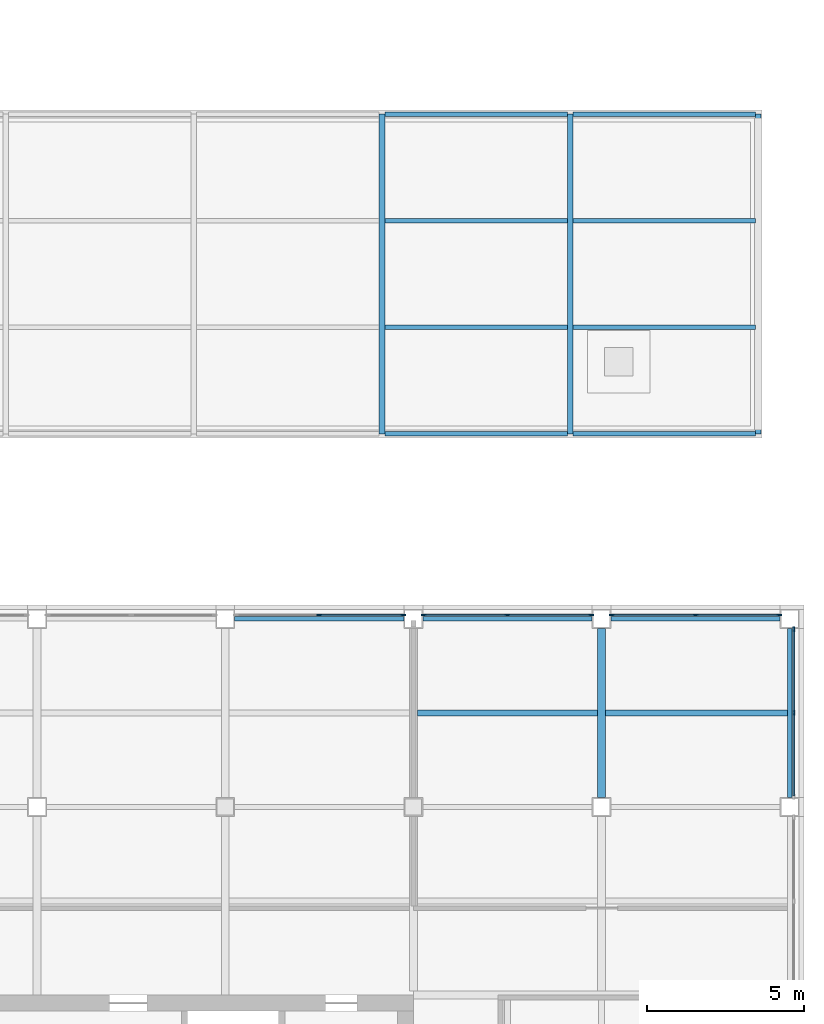
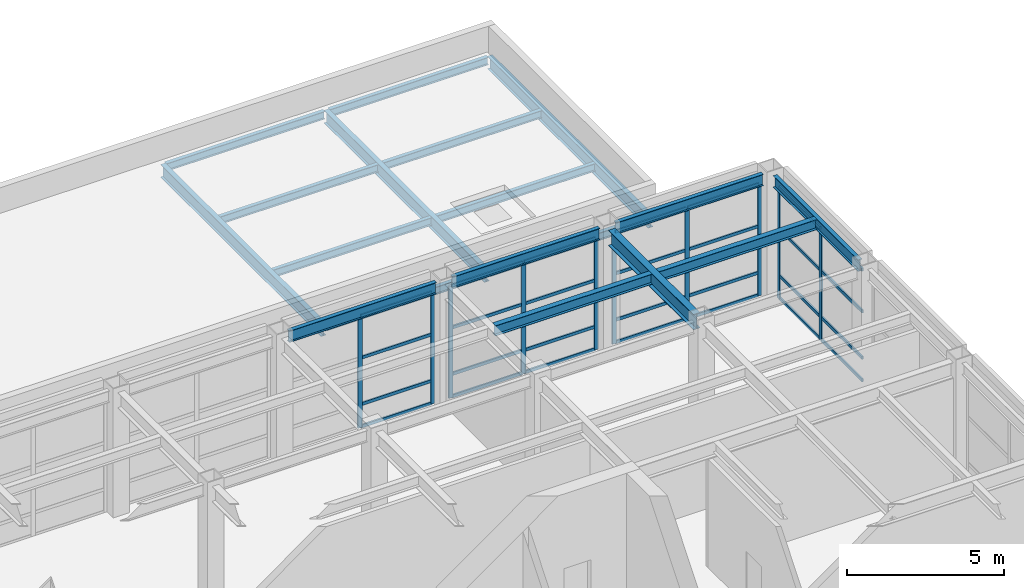
# One storey, part 26 of 67: 38 members, 18 beams, 4 elements without a shape of their own.
"""IFC4 building model written with IfcOpenShell, lengths in metres."""

from ifc_helpers import new_model, si_unit, direction, frame, origin, origin_2d, place, context, subcontext, project, spatial, rectangle, i_section, extrude, material, material_profile, profile_set, type_object, element, aggregate, save


model = new_model("IFC4")

# Units and contexts
model_context = context("Model", 3, precision=1e-05, world=origin(), true_north=direction((0.0, 1.0)))
body_context = subcontext(model_context, "Body", "Model", "MODEL_VIEW")
ifc_project = project(units=[si_unit("LENGTHUNIT", "METRE"), si_unit("AREAUNIT", "SQUARE_METRE"), si_unit("VOLUMEUNIT", "CUBIC_METRE"), si_unit("PLANEANGLEUNIT", "RADIAN"), si_unit("MASSUNIT", "GRAM", prefix="KILO")], contexts=[model_context])

# Site, building, storey
site_placement = place(None, origin())
site = spatial("IfcSite", under=ifc_project, at=site_placement, CompositionType="ELEMENT")
building_placement = place(site_placement, origin())
building = spatial("IfcBuilding", under=site, at=building_placement, Name="Aravalli Gate Trade Fair Centre", CompositionType="ELEMENT")
storey_placement = place(building_placement, frame((0.0, 0.0, 5.0)))
storey = spatial("IfcBuildingStorey", under=building, at=storey_placement, Name="L01", CompositionType="ELEMENT", Elevation=5.0)

# Beams
ifc_material_1 = material(Name="Steel E350", Category="steel")
ifc_material_profile_1 = material_profile(ifc_material_1, i_section(OverallWidth=0.179931640625, OverallDepth=0.5, WebThickness=0.01025390625, FlangeThickness=0.01708984375, at=origin_2d()), Name="ISMB 500")
ifc_profile_set_1 = profile_set([ifc_material_profile_1], Name="Steel E350")
beam_type_1 = type_object("IfcBeamType", Name="Pavilion roof girder ISMB 500", PredefinedType="BEAM", material=ifc_profile_set_1)
for number, where, z_axis, x_axis, name in (
    (1, (189.0, 138.89990234375, -0.39990234375), (0.0, 1.0, 0.0), (-1.0, 0.0, 0.0), "Pavilion roof girder 5"),
    (2, (195.0, 138.89990234375, -0.39990234375), (0.0, 1.0, 0.0), (-1.0, 0.0, 0.0), "Pavilion roof girder 6"),
    (3, (201.0, 138.89990234375, -0.39990234375), (0.0, 1.0, 0.0), (-1.0, 0.0, 0.0), "Pavilion roof girder 7"),
):
    element("IfcBeam", number, at=place(storey_placement, frame(where, z_axis=z_axis, x_axis=x_axis)), inside=storey, type_object=beam_type_1, Name=name, PredefinedType="BEAM", context=body_context, shape_type="SweptSolid", body=[
        extrude(i_section(OverallWidth=0.179931640625, OverallDepth=0.5, WebThickness=0.01025390625, FlangeThickness=0.01708984375, at=origin_2d()), origin(), (0.0, 0.0, 1.0), 10.2001953125),
    ])
ifc_material_profile_2 = material_profile(ifc_material_1, i_section(OverallWidth=0.139892578125, OverallDepth=0.300048828125, WebThickness=0.0078125, FlangeThickness=0.01318359375, at=origin_2d()), Name="ISMB 300")
ifc_profile_set_2 = profile_set([ifc_material_profile_2], Name="Steel E350")
beam_type_2 = type_object("IfcBeamType", Name="Pavilion roof joist ISMB 300", PredefinedType="BEAM", material=ifc_profile_set_2)
for number, where, z_axis, x_axis, name in (
    (4, (189.090087890625, 138.89990234375, -0.300048828125), (1.0, 0.0, 0.0), (0.0, 1.0, 0.0), "Pavilion roof joist 1.5"),
    (5, (195.090087890625, 138.89990234375, -0.300048828125), (1.0, 0.0, 0.0), (0.0, 1.0, 0.0), "Pavilion roof joist 1.6"),
    (6, (189.090087890625, 142.300048828125, -0.300048828125), (1.0, 0.0, 0.0), (0.0, 1.0, 0.0), "Pavilion roof joist 2.5"),
    (7, (195.090087890625, 142.300048828125, -0.300048828125), (1.0, 0.0, 0.0), (0.0, 1.0, 0.0), "Pavilion roof joist 2.6"),
    (8, (189.090087890625, 145.699951171875, -0.300048828125), (1.0, 0.0, 0.0), (0.0, 1.0, 0.0), "Pavilion roof joist 3.5"),
    (9, (195.090087890625, 145.699951171875, -0.300048828125), (1.0, 0.0, 0.0), (0.0, 1.0, 0.0), "Pavilion roof joist 3.6"),
    (10, (189.090087890625, 149.10009765625, -0.300048828125), (1.0, 0.0, 0.0), (0.0, 1.0, 0.0), "Pavilion roof joist 4.5"),
    (11, (195.090087890625, 149.10009765625, -0.300048828125), (1.0, 0.0, 0.0), (0.0, 1.0, 0.0), "Pavilion roof joist 4.6"),
):
    element("IfcBeam", number, at=place(storey_placement, frame(where, z_axis=z_axis, x_axis=x_axis)), inside=storey, type_object=beam_type_2, Name=name, PredefinedType="BEAM", context=body_context, shape_type="SweptSolid", body=[
        extrude(i_section(OverallWidth=0.139892578125, OverallDepth=0.300048828125, WebThickness=0.0078125, FlangeThickness=0.01318359375, at=origin_2d()), origin(), (0.0, 0.0, 1.0), 5.81982421875),
    ])
ifc_material_profile_3 = material_profile(ifc_material_1, i_section(OverallWidth=0.25, OverallDepth=0.60009765625, WebThickness=0.01123046875, FlangeThickness=0.021240234375, at=origin_2d()), Name="ISWB 600")
ifc_profile_set_3 = profile_set([ifc_material_profile_3], Name="Steel E350")
beam_type_3 = type_object("IfcBeamType", Name="Wing corner transfer girder ISWB 600 (podium floors)", PredefinedType="BEAM", material=ifc_profile_set_3)
beam_1_placement = place(storey_placement, frame((196.0, 127.300048828125, 4.5), z_axis=(0.0, 1.0, 0.0), x_axis=(-1.0, 0.0, 0.0)))
element("IfcBeam", 12, at=beam_1_placement, inside=storey, type_object=beam_type_3, Name="Corner transfer girder CNEyb L02", PredefinedType="BEAM", context=body_context, shape_type="SweptSolid", body=[
    extrude(i_section(OverallWidth=0.25, OverallDepth=0.60009765625, WebThickness=0.01123046875, FlangeThickness=0.021240234375, at=origin_2d()), origin(), (0.0, 0.0, 1.0), 5.39990234375),
])

# Curtain wall, members
ifc_material_2 = material(Name="Aluminium and glass", Category="aluminium")
curtain_wall_type = type_object("IfcCurtainWallType", Name="Wing curtain wall", PredefinedType="NOTDEFINED", material=ifc_material_2)
curtain_wall_1_placement = place(storey_placement, origin())
curtain_wall_1 = element("IfcCurtainWall", 13, at=curtain_wall_1_placement, inside=storey, type_object=curtain_wall_type, Name="Curtain wall N4 L01", PredefinedType="NOTDEFINED")
ifc_material_3 = material(Name="Aluminium", Category="aluminium")
ifc_material_profile_4 = material_profile(ifc_material_3, rectangle(XDim=0.06005859375, YDim=0.159912109375, at=origin_2d()), Name="Wing curtain wall mullion 60 x 160")
ifc_profile_set_4 = profile_set([ifc_material_profile_4], Name="Aluminium")
member_type_1 = type_object("IfcMemberType", Name="Wing curtain wall mullion 60 x 160", PredefinedType="MULLION", material=ifc_profile_set_4)
member_1_placement = place(storey_placement, frame((187.0, 133.125, 0.0), z_axis=(0.0, 0.0, 1.0), x_axis=(0.0, 1.0, 0.0)))
member_1 = element("IfcMember", 14, at=member_1_placement, type_object=member_type_1, Name="TCW1 mullion 2", PredefinedType="MULLION", context=body_context, shape_type="SweptSolid", body=[
    extrude(rectangle(XDim=0.06005859375, YDim=0.159912109375, at=origin_2d()), origin(), (0.0, 0.0, 1.0), 4.35009765625),
])
member_2_placement = place(storey_placement, frame((189.669921875, 133.125, 0.0), z_axis=(0.0, 0.0, 1.0), x_axis=(0.0, 1.0, 0.0)))
member_2 = element("IfcMember", 15, at=member_2_placement, type_object=member_type_1, Name="TCW1 mullion 3", PredefinedType="MULLION", context=body_context, shape_type="SweptSolid", body=[
    extrude(rectangle(XDim=0.06005859375, YDim=0.159912109375, at=origin_2d()), origin(), (0.0, 0.0, 1.0), 4.35009765625),
])

curtain_wall_2_placement = place(storey_placement, origin())
curtain_wall_2 = element("IfcCurtainWall", 16, at=curtain_wall_2_placement, inside=storey, type_object=curtain_wall_type, Name="Curtain wall N5 L01", PredefinedType="NOTDEFINED")
member_3_placement = place(storey_placement, frame((190.330078125, 133.125, 0.0), z_axis=(0.0, 0.0, 1.0), x_axis=(0.0, 1.0, 0.0)))
member_3 = element("IfcMember", 17, at=member_3_placement, type_object=member_type_1, Name="TCW1 mullion 1", PredefinedType="MULLION", context=body_context, shape_type="SweptSolid", body=[
    extrude(rectangle(XDim=0.06005859375, YDim=0.159912109375, at=origin_2d()), origin(), (0.0, 0.0, 1.0), 4.35009765625),
])
member_4_placement = place(storey_placement, frame((193.0, 133.125, 0.0), z_axis=(0.0, 0.0, 1.0), x_axis=(0.0, 1.0, 0.0)))
member_4 = element("IfcMember", 18, at=member_4_placement, type_object=member_type_1, Name="TCW1 mullion 2", PredefinedType="MULLION", context=body_context, shape_type="SweptSolid", body=[
    extrude(rectangle(XDim=0.06005859375, YDim=0.159912109375, at=origin_2d()), origin(), (0.0, 0.0, 1.0), 4.35009765625),
])
member_5_placement = place(storey_placement, frame((195.669921875, 133.125, 0.0), z_axis=(0.0, 0.0, 1.0), x_axis=(0.0, 1.0, 0.0)))
member_5 = element("IfcMember", 19, at=member_5_placement, type_object=member_type_1, Name="TCW1 mullion 3", PredefinedType="MULLION", context=body_context, shape_type="SweptSolid", body=[
    extrude(rectangle(XDim=0.06005859375, YDim=0.159912109375, at=origin_2d()), origin(), (0.0, 0.0, 1.0), 4.35009765625),
])

curtain_wall_3_placement = place(storey_placement, origin())
curtain_wall_3 = element("IfcCurtainWall", 20, at=curtain_wall_3_placement, inside=storey, type_object=curtain_wall_type, Name="Curtain wall N6 L01", PredefinedType="NOTDEFINED")
member_6_placement = place(storey_placement, frame((196.330078125, 133.125, 0.0), z_axis=(0.0, 0.0, 1.0), x_axis=(0.0, 1.0, 0.0)))
member_6 = element("IfcMember", 21, at=member_6_placement, type_object=member_type_1, Name="TCW1 mullion 1", PredefinedType="MULLION", context=body_context, shape_type="SweptSolid", body=[
    extrude(rectangle(XDim=0.06005859375, YDim=0.159912109375, at=origin_2d()), origin(), (0.0, 0.0, 1.0), 4.35009765625),
])
member_7_placement = place(storey_placement, frame((199.0, 133.125, 0.0), z_axis=(0.0, 0.0, 1.0), x_axis=(0.0, 1.0, 0.0)))
member_7 = element("IfcMember", 22, at=member_7_placement, type_object=member_type_1, Name="TCW1 mullion 2", PredefinedType="MULLION", context=body_context, shape_type="SweptSolid", body=[
    extrude(rectangle(XDim=0.06005859375, YDim=0.159912109375, at=origin_2d()), origin(), (0.0, 0.0, 1.0), 4.35009765625),
])
member_8_placement = place(storey_placement, frame((201.669921875, 133.125, 0.0), z_axis=(0.0, 0.0, 1.0), x_axis=(0.0, 1.0, 0.0)))
member_8 = element("IfcMember", 23, at=member_8_placement, type_object=member_type_1, Name="TCW1 mullion 3", PredefinedType="MULLION", context=body_context, shape_type="SweptSolid", body=[
    extrude(rectangle(XDim=0.06005859375, YDim=0.159912109375, at=origin_2d()), origin(), (0.0, 0.0, 1.0), 4.35009765625),
])

curtain_wall_4_placement = place(storey_placement, origin())
curtain_wall_4 = element("IfcCurtainWall", 24, at=curtain_wall_4_placement, inside=storey, type_object=curtain_wall_type, Name="Curtain wall E6 L01", PredefinedType="NOTDEFINED")
member_9_placement = place(storey_placement, frame((202.125, 130.0, 0.0), z_axis=(0.0, 0.0, 1.0), x_axis=(-1.0, 0.0, 0.0)))
member_9 = element("IfcMember", 25, at=member_9_placement, type_object=member_type_1, Name="TCW1 mullion 2", PredefinedType="MULLION", context=body_context, shape_type="SweptSolid", body=[
    extrude(rectangle(XDim=0.06005859375, YDim=0.159912109375, at=origin_2d()), origin(), (0.0, 0.0, 1.0), 4.35009765625),
])
member_10_placement = place(storey_placement, frame((202.125, 132.669921875, 0.0), z_axis=(0.0, 0.0, 1.0), x_axis=(-1.0, 0.0, 0.0)))
member_10 = element("IfcMember", 26, at=member_10_placement, type_object=member_type_1, Name="TCW1 mullion 3", PredefinedType="MULLION", context=body_context, shape_type="SweptSolid", body=[
    extrude(rectangle(XDim=0.06005859375, YDim=0.159912109375, at=origin_2d()), origin(), (0.0, 0.0, 1.0), 4.35009765625),
])

# Member
ifc_material_profile_5 = material_profile(ifc_material_3, rectangle(XDim=0.06005859375, YDim=0.1201171875, at=origin_2d()), Name="Wing curtain wall transom 60 x 120")
ifc_profile_set_5 = profile_set([ifc_material_profile_5], Name="Aluminium")
member_type_2 = type_object("IfcMemberType", Name="Wing curtain wall transom 60 x 120", PredefinedType="USERDEFINED", material=ifc_profile_set_5)
member_11_placement = place(storey_placement, frame((187.030029296875, 133.125, 0.030029296875), z_axis=(1.0, 0.0, 0.0), x_axis=(0.0, 1.0, 0.0)))
member_11 = element("IfcMember", 27, at=member_11_placement, type_object=member_type_2, Name="TCW1 transom 2.1", ObjectType="TRANSOM", PredefinedType="USERDEFINED", context=body_context, shape_type="SweptSolid", body=[
    extrude(rectangle(XDim=0.06005859375, YDim=0.1201171875, at=origin_2d()), origin(), (0.0, 0.0, 1.0), 2.60986328125),
])

member_12_placement = place(storey_placement, frame((187.030029296875, 133.125, 0.89990234375), z_axis=(1.0, 0.0, 0.0), x_axis=(0.0, 1.0, 0.0)))
member_12 = element("IfcMember", 28, at=member_12_placement, type_object=member_type_2, Name="TCW1 transom 2.2", ObjectType="TRANSOM", PredefinedType="USERDEFINED", context=body_context, shape_type="SweptSolid", body=[
    extrude(rectangle(XDim=0.06005859375, YDim=0.1201171875, at=origin_2d()), origin(), (0.0, 0.0, 1.0), 2.60986328125),
])

member_13_placement = place(storey_placement, frame((187.030029296875, 133.125, 2.699951171875), z_axis=(1.0, 0.0, 0.0), x_axis=(0.0, 1.0, 0.0)))
member_13 = element("IfcMember", 29, at=member_13_placement, type_object=member_type_2, Name="TCW1 transom 2.3", ObjectType="TRANSOM", PredefinedType="USERDEFINED", context=body_context, shape_type="SweptSolid", body=[
    extrude(rectangle(XDim=0.06005859375, YDim=0.1201171875, at=origin_2d()), origin(), (0.0, 0.0, 1.0), 2.60986328125),
])

member_14_placement = place(storey_placement, frame((187.030029296875, 133.125, 4.320068359375), z_axis=(1.0, 0.0, 0.0), x_axis=(0.0, 1.0, 0.0)))
member_14 = element("IfcMember", 30, at=member_14_placement, type_object=member_type_2, Name="TCW1 transom 2.4", ObjectType="TRANSOM", PredefinedType="USERDEFINED", context=body_context, shape_type="SweptSolid", body=[
    extrude(rectangle(XDim=0.06005859375, YDim=0.1201171875, at=origin_2d()), origin(), (0.0, 0.0, 1.0), 2.60986328125),
])

aggregate(curtain_wall_1, [member_1, member_2, member_11, member_12, member_13, member_14])

member_15_placement = place(storey_placement, frame((190.360107421875, 133.125, 0.030029296875), z_axis=(1.0, 0.0, 0.0), x_axis=(0.0, 1.0, 0.0)))
member_15 = element("IfcMember", 31, at=member_15_placement, type_object=member_type_2, Name="TCW1 transom 1.1", ObjectType="TRANSOM", PredefinedType="USERDEFINED", context=body_context, shape_type="SweptSolid", body=[
    extrude(rectangle(XDim=0.06005859375, YDim=0.1201171875, at=origin_2d()), origin(), (0.0, 0.0, 1.0), 2.60986328125),
])

member_16_placement = place(storey_placement, frame((190.360107421875, 133.125, 0.89990234375), z_axis=(1.0, 0.0, 0.0), x_axis=(0.0, 1.0, 0.0)))
member_16 = element("IfcMember", 32, at=member_16_placement, type_object=member_type_2, Name="TCW1 transom 1.2", ObjectType="TRANSOM", PredefinedType="USERDEFINED", context=body_context, shape_type="SweptSolid", body=[
    extrude(rectangle(XDim=0.06005859375, YDim=0.1201171875, at=origin_2d()), origin(), (0.0, 0.0, 1.0), 2.60986328125),
])

member_17_placement = place(storey_placement, frame((190.360107421875, 133.125, 2.699951171875), z_axis=(1.0, 0.0, 0.0), x_axis=(0.0, 1.0, 0.0)))
member_17 = element("IfcMember", 33, at=member_17_placement, type_object=member_type_2, Name="TCW1 transom 1.3", ObjectType="TRANSOM", PredefinedType="USERDEFINED", context=body_context, shape_type="SweptSolid", body=[
    extrude(rectangle(XDim=0.06005859375, YDim=0.1201171875, at=origin_2d()), origin(), (0.0, 0.0, 1.0), 2.60986328125),
])

member_18_placement = place(storey_placement, frame((190.360107421875, 133.125, 4.320068359375), z_axis=(1.0, 0.0, 0.0), x_axis=(0.0, 1.0, 0.0)))
member_18 = element("IfcMember", 34, at=member_18_placement, type_object=member_type_2, Name="TCW1 transom 1.4", ObjectType="TRANSOM", PredefinedType="USERDEFINED", context=body_context, shape_type="SweptSolid", body=[
    extrude(rectangle(XDim=0.06005859375, YDim=0.1201171875, at=origin_2d()), origin(), (0.0, 0.0, 1.0), 2.60986328125),
])

member_19_placement = place(storey_placement, frame((193.030029296875, 133.125, 0.030029296875), z_axis=(1.0, 0.0, 0.0), x_axis=(0.0, 1.0, 0.0)))
member_19 = element("IfcMember", 35, at=member_19_placement, type_object=member_type_2, Name="TCW1 transom 2.1", ObjectType="TRANSOM", PredefinedType="USERDEFINED", context=body_context, shape_type="SweptSolid", body=[
    extrude(rectangle(XDim=0.06005859375, YDim=0.1201171875, at=origin_2d()), origin(), (0.0, 0.0, 1.0), 2.60986328125),
])

member_20_placement = place(storey_placement, frame((193.030029296875, 133.125, 0.89990234375), z_axis=(1.0, 0.0, 0.0), x_axis=(0.0, 1.0, 0.0)))
member_20 = element("IfcMember", 36, at=member_20_placement, type_object=member_type_2, Name="TCW1 transom 2.2", ObjectType="TRANSOM", PredefinedType="USERDEFINED", context=body_context, shape_type="SweptSolid", body=[
    extrude(rectangle(XDim=0.06005859375, YDim=0.1201171875, at=origin_2d()), origin(), (0.0, 0.0, 1.0), 2.60986328125),
])

member_21_placement = place(storey_placement, frame((193.030029296875, 133.125, 2.699951171875), z_axis=(1.0, 0.0, 0.0), x_axis=(0.0, 1.0, 0.0)))
member_21 = element("IfcMember", 37, at=member_21_placement, type_object=member_type_2, Name="TCW1 transom 2.3", ObjectType="TRANSOM", PredefinedType="USERDEFINED", context=body_context, shape_type="SweptSolid", body=[
    extrude(rectangle(XDim=0.06005859375, YDim=0.1201171875, at=origin_2d()), origin(), (0.0, 0.0, 1.0), 2.60986328125),
])

member_22_placement = place(storey_placement, frame((193.030029296875, 133.125, 4.320068359375), z_axis=(1.0, 0.0, 0.0), x_axis=(0.0, 1.0, 0.0)))
member_22 = element("IfcMember", 38, at=member_22_placement, type_object=member_type_2, Name="TCW1 transom 2.4", ObjectType="TRANSOM", PredefinedType="USERDEFINED", context=body_context, shape_type="SweptSolid", body=[
    extrude(rectangle(XDim=0.06005859375, YDim=0.1201171875, at=origin_2d()), origin(), (0.0, 0.0, 1.0), 2.60986328125),
])

aggregate(curtain_wall_2, [member_3, member_4, member_5, member_15, member_16, member_17, member_18, member_19, member_20, member_21, member_22])

member_23_placement = place(storey_placement, frame((196.360107421875, 133.125, 0.030029296875), z_axis=(1.0, 0.0, 0.0), x_axis=(0.0, 1.0, 0.0)))
member_23 = element("IfcMember", 39, at=member_23_placement, type_object=member_type_2, Name="TCW1 transom 1.1", ObjectType="TRANSOM", PredefinedType="USERDEFINED", context=body_context, shape_type="SweptSolid", body=[
    extrude(rectangle(XDim=0.06005859375, YDim=0.1201171875, at=origin_2d()), origin(), (0.0, 0.0, 1.0), 2.60986328125),
])

member_24_placement = place(storey_placement, frame((196.360107421875, 133.125, 0.89990234375), z_axis=(1.0, 0.0, 0.0), x_axis=(0.0, 1.0, 0.0)))
member_24 = element("IfcMember", 40, at=member_24_placement, type_object=member_type_2, Name="TCW1 transom 1.2", ObjectType="TRANSOM", PredefinedType="USERDEFINED", context=body_context, shape_type="SweptSolid", body=[
    extrude(rectangle(XDim=0.06005859375, YDim=0.1201171875, at=origin_2d()), origin(), (0.0, 0.0, 1.0), 2.60986328125),
])

member_25_placement = place(storey_placement, frame((196.360107421875, 133.125, 2.699951171875), z_axis=(1.0, 0.0, 0.0), x_axis=(0.0, 1.0, 0.0)))
member_25 = element("IfcMember", 41, at=member_25_placement, type_object=member_type_2, Name="TCW1 transom 1.3", ObjectType="TRANSOM", PredefinedType="USERDEFINED", context=body_context, shape_type="SweptSolid", body=[
    extrude(rectangle(XDim=0.06005859375, YDim=0.1201171875, at=origin_2d()), origin(), (0.0, 0.0, 1.0), 2.60986328125),
])

member_26_placement = place(storey_placement, frame((196.360107421875, 133.125, 4.320068359375), z_axis=(1.0, 0.0, 0.0), x_axis=(0.0, 1.0, 0.0)))
member_26 = element("IfcMember", 42, at=member_26_placement, type_object=member_type_2, Name="TCW1 transom 1.4", ObjectType="TRANSOM", PredefinedType="USERDEFINED", context=body_context, shape_type="SweptSolid", body=[
    extrude(rectangle(XDim=0.06005859375, YDim=0.1201171875, at=origin_2d()), origin(), (0.0, 0.0, 1.0), 2.60986328125),
])

member_27_placement = place(storey_placement, frame((199.030029296875, 133.125, 0.030029296875), z_axis=(1.0, 0.0, 0.0), x_axis=(0.0, 1.0, 0.0)))
member_27 = element("IfcMember", 43, at=member_27_placement, type_object=member_type_2, Name="TCW1 transom 2.1", ObjectType="TRANSOM", PredefinedType="USERDEFINED", context=body_context, shape_type="SweptSolid", body=[
    extrude(rectangle(XDim=0.06005859375, YDim=0.1201171875, at=origin_2d()), origin(), (0.0, 0.0, 1.0), 2.60986328125),
])

member_28_placement = place(storey_placement, frame((199.030029296875, 133.125, 0.89990234375), z_axis=(1.0, 0.0, 0.0), x_axis=(0.0, 1.0, 0.0)))
member_28 = element("IfcMember", 44, at=member_28_placement, type_object=member_type_2, Name="TCW1 transom 2.2", ObjectType="TRANSOM", PredefinedType="USERDEFINED", context=body_context, shape_type="SweptSolid", body=[
    extrude(rectangle(XDim=0.06005859375, YDim=0.1201171875, at=origin_2d()), origin(), (0.0, 0.0, 1.0), 2.60986328125),
])

member_29_placement = place(storey_placement, frame((199.030029296875, 133.125, 2.699951171875), z_axis=(1.0, 0.0, 0.0), x_axis=(0.0, 1.0, 0.0)))
member_29 = element("IfcMember", 45, at=member_29_placement, type_object=member_type_2, Name="TCW1 transom 2.3", ObjectType="TRANSOM", PredefinedType="USERDEFINED", context=body_context, shape_type="SweptSolid", body=[
    extrude(rectangle(XDim=0.06005859375, YDim=0.1201171875, at=origin_2d()), origin(), (0.0, 0.0, 1.0), 2.60986328125),
])

member_30_placement = place(storey_placement, frame((199.030029296875, 133.125, 4.320068359375), z_axis=(1.0, 0.0, 0.0), x_axis=(0.0, 1.0, 0.0)))
member_30 = element("IfcMember", 46, at=member_30_placement, type_object=member_type_2, Name="TCW1 transom 2.4", ObjectType="TRANSOM", PredefinedType="USERDEFINED", context=body_context, shape_type="SweptSolid", body=[
    extrude(rectangle(XDim=0.06005859375, YDim=0.1201171875, at=origin_2d()), origin(), (0.0, 0.0, 1.0), 2.60986328125),
])

aggregate(curtain_wall_3, [member_6, member_7, member_8, member_23, member_24, member_25, member_26, member_27, member_28, member_29, member_30])

member_31_placement = place(storey_placement, frame((202.125, 127.360107421875, 0.030029296875), z_axis=(0.0, 1.0, 0.0), x_axis=(-1.0, 0.0, 0.0)))
member_31 = element("IfcMember", 47, at=member_31_placement, type_object=member_type_2, Name="TCW1 transom 1.1", ObjectType="TRANSOM", PredefinedType="USERDEFINED", context=body_context, shape_type="SweptSolid", body=[
    extrude(rectangle(XDim=0.06005859375, YDim=0.1201171875, at=origin_2d()), origin(), (0.0, 0.0, 1.0), 2.60986328125),
])

member_32_placement = place(storey_placement, frame((202.125, 127.360107421875, 0.89990234375), z_axis=(0.0, 1.0, 0.0), x_axis=(-1.0, 0.0, 0.0)))
member_32 = element("IfcMember", 48, at=member_32_placement, type_object=member_type_2, Name="TCW1 transom 1.2", ObjectType="TRANSOM", PredefinedType="USERDEFINED", context=body_context, shape_type="SweptSolid", body=[
    extrude(rectangle(XDim=0.06005859375, YDim=0.1201171875, at=origin_2d()), origin(), (0.0, 0.0, 1.0), 2.60986328125),
])

member_33_placement = place(storey_placement, frame((202.125, 127.360107421875, 2.699951171875), z_axis=(0.0, 1.0, 0.0), x_axis=(-1.0, 0.0, 0.0)))
member_33 = element("IfcMember", 49, at=member_33_placement, type_object=member_type_2, Name="TCW1 transom 1.3", ObjectType="TRANSOM", PredefinedType="USERDEFINED", context=body_context, shape_type="SweptSolid", body=[
    extrude(rectangle(XDim=0.06005859375, YDim=0.1201171875, at=origin_2d()), origin(), (0.0, 0.0, 1.0), 2.60986328125),
])

member_34_placement = place(storey_placement, frame((202.125, 127.360107421875, 4.320068359375), z_axis=(0.0, 1.0, 0.0), x_axis=(-1.0, 0.0, 0.0)))
member_34 = element("IfcMember", 50, at=member_34_placement, type_object=member_type_2, Name="TCW1 transom 1.4", ObjectType="TRANSOM", PredefinedType="USERDEFINED", context=body_context, shape_type="SweptSolid", body=[
    extrude(rectangle(XDim=0.06005859375, YDim=0.1201171875, at=origin_2d()), origin(), (0.0, 0.0, 1.0), 2.60986328125),
])

member_35_placement = place(storey_placement, frame((202.125, 130.030029296875, 0.030029296875), z_axis=(0.0, 1.0, 0.0), x_axis=(-1.0, 0.0, 0.0)))
member_35 = element("IfcMember", 51, at=member_35_placement, type_object=member_type_2, Name="TCW1 transom 2.1", ObjectType="TRANSOM", PredefinedType="USERDEFINED", context=body_context, shape_type="SweptSolid", body=[
    extrude(rectangle(XDim=0.06005859375, YDim=0.1201171875, at=origin_2d()), origin(), (0.0, 0.0, 1.0), 2.60986328125),
])

member_36_placement = place(storey_placement, frame((202.125, 130.030029296875, 0.89990234375), z_axis=(0.0, 1.0, 0.0), x_axis=(-1.0, 0.0, 0.0)))
member_36 = element("IfcMember", 52, at=member_36_placement, type_object=member_type_2, Name="TCW1 transom 2.2", ObjectType="TRANSOM", PredefinedType="USERDEFINED", context=body_context, shape_type="SweptSolid", body=[
    extrude(rectangle(XDim=0.06005859375, YDim=0.1201171875, at=origin_2d()), origin(), (0.0, 0.0, 1.0), 2.60986328125),
])

member_37_placement = place(storey_placement, frame((202.125, 130.030029296875, 2.699951171875), z_axis=(0.0, 1.0, 0.0), x_axis=(-1.0, 0.0, 0.0)))
member_37 = element("IfcMember", 53, at=member_37_placement, type_object=member_type_2, Name="TCW1 transom 2.3", ObjectType="TRANSOM", PredefinedType="USERDEFINED", context=body_context, shape_type="SweptSolid", body=[
    extrude(rectangle(XDim=0.06005859375, YDim=0.1201171875, at=origin_2d()), origin(), (0.0, 0.0, 1.0), 2.60986328125),
])

member_38_placement = place(storey_placement, frame((202.125, 130.030029296875, 4.320068359375), z_axis=(0.0, 1.0, 0.0), x_axis=(-1.0, 0.0, 0.0)))
member_38 = element("IfcMember", 54, at=member_38_placement, type_object=member_type_2, Name="TCW1 transom 2.4", ObjectType="TRANSOM", PredefinedType="USERDEFINED", context=body_context, shape_type="SweptSolid", body=[
    extrude(rectangle(XDim=0.06005859375, YDim=0.1201171875, at=origin_2d()), origin(), (0.0, 0.0, 1.0), 2.60986328125),
])

aggregate(curtain_wall_4, [member_9, member_10, member_31, member_32, member_33, member_34, member_35, member_36, member_37, member_38])

# Beams
ifc_material_profile_6 = material_profile(ifc_material_1, i_section(OverallWidth=0.14990234375, OverallDepth=0.449951171875, WebThickness=0.009521484375, FlangeThickness=0.017333984375, at=origin_2d()), Name="ISMB 450")
ifc_profile_set_6 = profile_set([ifc_material_profile_6], Name="Steel E350")
beam_type_4 = type_object("IfcBeamType", Name="Wing perimeter beam ISMB 450 (podium floors)", PredefinedType="BEAM", material=ifc_profile_set_6)
for number, where, z_axis, x_axis, name in (
    (55, (184.300048828125, 133.0, 4.574951171875), (1.0, 0.0, 0.0), (0.0, 1.0, 0.0), "Perimeter beam EN4 L02"),
    (56, (190.300048828125, 133.0, 4.574951171875), (1.0, 0.0, 0.0), (0.0, 1.0, 0.0), "Perimeter beam EN5 L02"),
    (57, (196.300048828125, 133.0, 4.574951171875), (1.0, 0.0, 0.0), (0.0, 1.0, 0.0), "Perimeter beam EN6 L02"),
    (58, (202.0, 127.300048828125, 4.574951171875), (0.0, 1.0, 0.0), (-1.0, 0.0, 0.0), "Perimeter beam EE6 L02"),
):
    element("IfcBeam", number, at=place(storey_placement, frame(where, z_axis=z_axis, x_axis=x_axis)), inside=storey, type_object=beam_type_4, Name=name, PredefinedType="BEAM", context=body_context, shape_type="SweptSolid", body=[
        extrude(i_section(OverallWidth=0.14990234375, OverallDepth=0.449951171875, WebThickness=0.009521484375, FlangeThickness=0.017333984375, at=origin_2d()), origin(), (0.0, 0.0, 1.0), 5.39990234375),
    ])
ifc_material_profile_7 = material_profile(ifc_material_1, i_section(OverallWidth=0.199951171875, OverallDepth=0.39990234375, WebThickness=0.008544921875, FlangeThickness=0.012939453125, at=origin_2d()), Name="ISWB 400")
ifc_profile_set_7 = profile_set([ifc_material_profile_7], Name="Steel E350")
beam_type_5 = type_object("IfcBeamType", Name="Wing secondary beam ISWB 400 (podium floors)", PredefinedType="BEAM", material=ifc_profile_set_7)
beam_2_placement = place(storey_placement, frame((190.125, 130.0, 4.60009765625), z_axis=(1.0, 0.0, 0.0), x_axis=(0.0, 1.0, 0.0)))
element("IfcBeam", 59, at=beam_2_placement, inside=storey, type_object=beam_type_5, Name="Secondary beam KEN10 L02", PredefinedType="BEAM", context=body_context, shape_type="SweptSolid", body=[
    extrude(i_section(OverallWidth=0.199951171875, OverallDepth=0.39990234375, WebThickness=0.008544921875, FlangeThickness=0.012939453125, at=origin_2d()), origin(), (0.0, 0.0, 1.0), 5.75),
])
beam_3_placement = place(storey_placement, frame((196.125, 130.0, 4.60009765625), z_axis=(1.0, 0.0, 0.0), x_axis=(0.0, 1.0, 0.0)))
element("IfcBeam", 60, at=beam_3_placement, inside=storey, type_object=beam_type_5, Name="Secondary beam KEN11 L02", PredefinedType="BEAM", context=body_context, shape_type="SweptSolid", body=[
    extrude(i_section(OverallWidth=0.199951171875, OverallDepth=0.39990234375, WebThickness=0.008544921875, FlangeThickness=0.012939453125, at=origin_2d()), origin(), (0.0, 0.0, 1.0), 5.800048828125),
])

save(model, "model.ifc")
